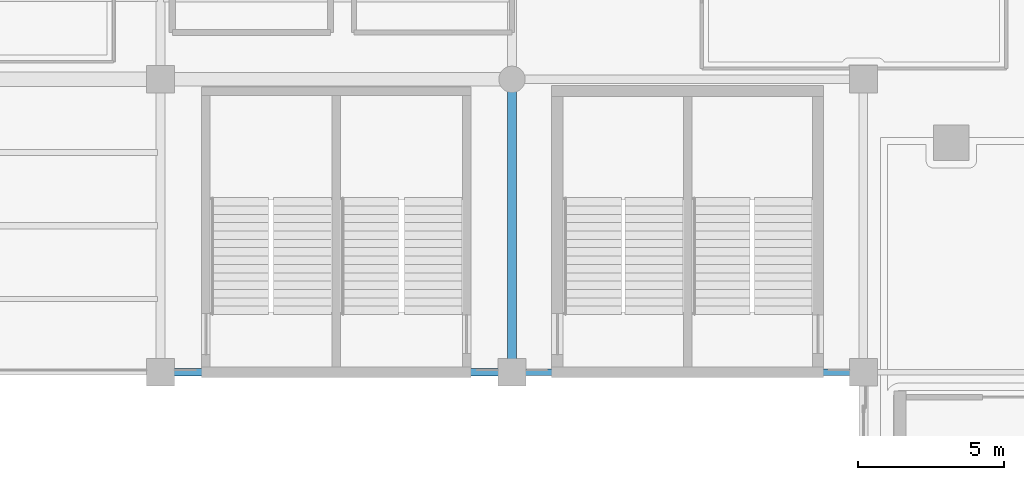
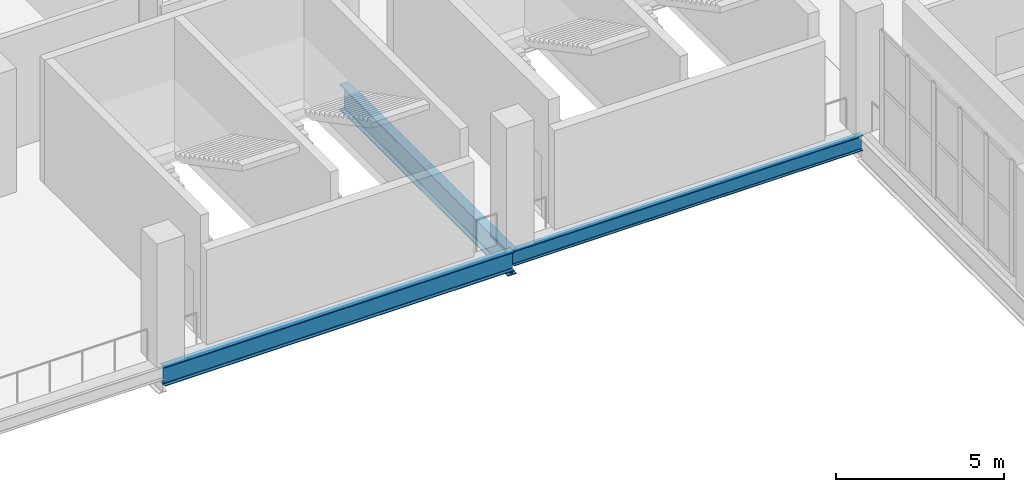
# One storey, part 17 of 90: 3 beams.
"""IFC4 building model written with IfcOpenShell, lengths in metres."""

from ifc_helpers import new_model, si_unit, direction, frame, origin, origin_2d, place, context, subcontext, project, spatial, i_section, extrude, material, material_profile, profile_set, type_object, element, save


model = new_model("IFC4")

# Units and contexts
model_context = context("Model", 3, precision=1e-05, world=origin(), true_north=direction((0.0, 1.0)))
body_context = subcontext(model_context, "Body", "Model", "MODEL_VIEW")
ifc_project = project(units=[si_unit("LENGTHUNIT", "METRE"), si_unit("AREAUNIT", "SQUARE_METRE"), si_unit("VOLUMEUNIT", "CUBIC_METRE"), si_unit("PLANEANGLEUNIT", "RADIAN"), si_unit("MASSUNIT", "GRAM", prefix="KILO")], contexts=[model_context])

# Site, building, storey
site_placement = place(None, origin())
site = spatial("IfcSite", under=ifc_project, at=site_placement, CompositionType="ELEMENT")
building_placement = place(site_placement, origin())
building = spatial("IfcBuilding", under=site, at=building_placement, Name="Brinegate Civic Arena", CompositionType="ELEMENT")
storey_placement = place(building_placement, frame((0.0, 0.0, 14.699951171875)))
storey = spatial("IfcBuildingStorey", under=building, at=storey_placement, Name="L03", CompositionType="ELEMENT", Elevation=14.699951171875)

# Beams
ifc_material = material(Name="Steel S355", Category="steel")
ifc_material_profile_1 = material_profile(ifc_material, i_section(OverallWidth=0.30810546875, OverallDepth=0.927001953125, WebThickness=0.01904296875, FlangeThickness=0.031982421875, FilletRadius=0.02392578125, at=origin_2d()), Name="W920X289")
ifc_profile_set_1 = profile_set([ifc_material_profile_1], Name="Steel S355")
beam_type_1 = type_object("IfcBeamType", Name="GIRDER-W920X289", PredefinedType="BEAM", material=ifc_profile_set_1)
beam_1_placement = place(storey_placement, frame((72.0, 10.0, -0.81298828125), z_axis=(0.0, 1.0, 0.0), x_axis=(-1.0, 0.0, 0.0)))
element("IfcBeam", 1, at=beam_1_placement, inside=storey, type_object=beam_type_1, Name="Floor Girder BM-L03-GY-06-01", PredefinedType="BEAM", context=body_context, shape_type="SweptSolid", body=[
    extrude(i_section(OverallWidth=0.30810546875, OverallDepth=0.927001953125, WebThickness=0.01904296875, FlangeThickness=0.031982421875, FilletRadius=0.02392578125, at=origin_2d()), origin(), (0.0, 0.0, 1.0), 10.0),
])
ifc_material_profile_2 = material_profile(ifc_material, i_section(OverallWidth=0.2119140625, OverallDepth=0.5439453125, WebThickness=0.012939453125, FlangeThickness=0.02099609375, FilletRadius=0.01611328125, at=origin_2d()), Name="W530X123")
ifc_profile_set_2 = profile_set([ifc_material_profile_2], Name="Steel S355")
beam_type_2 = type_object("IfcBeamType", Name="SPANDREL-W530X123", PredefinedType="SPANDREL", material=ifc_profile_set_2)
beam_2_placement = place(storey_placement, frame((72.0, 10.0, -0.6220703125), z_axis=(1.0, 0.0, 0.0), x_axis=(0.0, 1.0, 0.0)))
element("IfcBeam", 2, at=beam_2_placement, inside=storey, type_object=beam_type_2, Name="Floor Girder BM-L03-GX-06-01", PredefinedType="SPANDREL", context=body_context, shape_type="SweptSolid", body=[
    extrude(i_section(OverallWidth=0.2119140625, OverallDepth=0.5439453125, WebThickness=0.012939453125, FlangeThickness=0.02099609375, FilletRadius=0.01611328125, at=origin_2d()), origin(), (0.0, 0.0, 1.0), 12.0),
])
ifc_material_profile_3 = material_profile(ifc_material, i_section(OverallWidth=0.256103515625, OverallDepth=0.693115234375, WebThickness=0.014892578125, FlangeThickness=0.02392578125, FilletRadius=0.01806640625, at=origin_2d()), Name="W690X170")
ifc_profile_set_3 = profile_set([ifc_material_profile_3], Name="Steel S355")
beam_type_3 = type_object("IfcBeamType", Name="SPANDREL-W690X170", PredefinedType="SPANDREL", material=ifc_profile_set_3)
beam_3_placement = place(storey_placement, frame((60.0, 10.0, -0.696044921875), z_axis=(1.0, 0.0, 0.0), x_axis=(0.0, 1.0, 0.0)))
element("IfcBeam", 3, at=beam_3_placement, inside=storey, type_object=beam_type_3, Name="Floor Girder BM-L03-GX-05-01", PredefinedType="SPANDREL", context=body_context, shape_type="SweptSolid", body=[
    extrude(i_section(OverallWidth=0.256103515625, OverallDepth=0.693115234375, WebThickness=0.014892578125, FlangeThickness=0.02392578125, FilletRadius=0.01806640625, at=origin_2d()), origin(), (0.0, 0.0, 1.0), 12.0),
])

save(model, "model.ifc")
